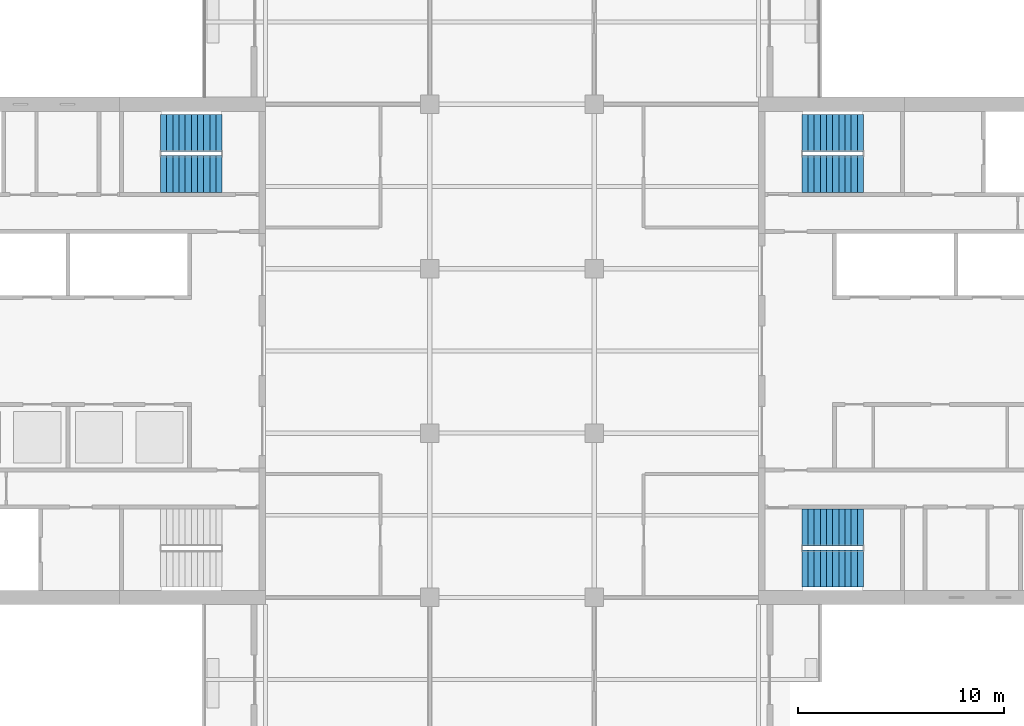
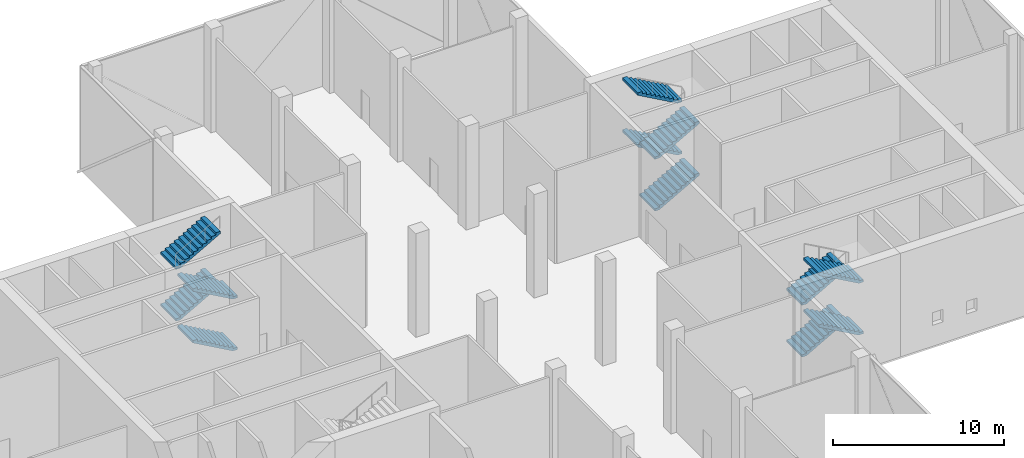
# One storey, part 14 of 20: 12 stair flights, 3 elements without a shape of their own.
"""IFC4 building model written with IfcOpenShell, lengths in metres."""

from ifc_helpers import new_model, si_unit, direction, frame, origin, place, context, subcontext, project, spatial, polyline, outline, extrude, material, type_object, element, aggregate, save


model = new_model("IFC4")

# Units and contexts
model_context = context("Model", 3, precision=1e-05, world=origin(), true_north=direction((0.0, 1.0)))
body_context = subcontext(model_context, "Body", "Model", "MODEL_VIEW")
ifc_project = project(units=[si_unit("LENGTHUNIT", "METRE"), si_unit("AREAUNIT", "SQUARE_METRE"), si_unit("VOLUMEUNIT", "CUBIC_METRE"), si_unit("PLANEANGLEUNIT", "RADIAN"), si_unit("MASSUNIT", "GRAM", prefix="KILO")], contexts=[model_context])

# Site, building, storey
site_placement = place(None, origin())
site = spatial("IfcSite", under=ifc_project, at=site_placement, CompositionType="ELEMENT")
building_placement = place(site_placement, origin())
building = spatial("IfcBuilding", under=site, at=building_placement, Name="Crosswind Convention Tower", CompositionType="ELEMENT")
storey_placement = place(building_placement, frame((0.0, 0.0, 171.5)))
storey = spatial("IfcBuildingStorey", under=building, at=storey_placement, Name="L36", CompositionType="ELEMENT", Elevation=171.5)

# Stair, stair flights
ifc_material = material(Name="Concrete C40/50", Category="concrete")
stair_type = type_object("IfcStairType", Name="Exit stair 1800 wide, 4 flights of 11 risers", PredefinedType="HALF_TURN_STAIR", material=ifc_material)
stair_1_placement = place(storey_placement, origin())
stair_1 = element("IfcStair", 1, at=stair_1_placement, inside=storey, type_object=stair_type, Name="Exit stair ST1 L36", ObjectType="ST6", PredefinedType="HALF_TURN_STAIR")
stair_flight_type = type_object("IfcStairFlightType", Name="Stair flight 1800 wide, 11 risers (SF3)", PredefinedType="STRAIGHT", material=ifc_material)
stair_flight_1_placement = place(storey_placement, frame((139.10009765625, 108.60009765625, 0.0), z_axis=(0.0, 0.0, 1.0), x_axis=(1.0, 0.0, 0.0)))
stair_flight_1 = element("IfcStairFlight", 2, at=stair_flight_1_placement, type_object=stair_flight_type, Name="ST1 flight 1", NumberOfRisers=11, NumberOfTreads=10, PredefinedType="STRAIGHT", RiserHeight=0.168181818, TreadLength=0.3, context=body_context, shape_type="SweptSolid", body=[
    extrude(outline(polyline([(0.0, 0.0), (0.0, 0.168212890625), (0.300048828125, 0.168212890625), (0.300048828125, 0.33642578125), (0.60009765625, 0.33642578125), (0.60009765625, 0.504638671875), (0.89990234375, 0.504638671875), (0.89990234375, 0.672607421875), (1.199951171875, 0.672607421875), (1.199951171875, 0.8408203125), (1.5, 0.8408203125), (1.5, 1.009033203125), (1.800048828125, 1.009033203125), (1.800048828125, 1.17724609375), (2.10009765625, 1.17724609375), (2.10009765625, 1.345458984375), (2.39990234375, 1.345458984375), (2.39990234375, 1.513671875), (2.699951171875, 1.513671875), (2.699951171875, 1.681884765625), (3.0, 1.681884765625), (3.0, 1.85009765625), (3.0, 1.510009765625), (0.306640625, 0.0), (0.0, 0.0)])), frame((0.0, 0.89990234375, 0.0), z_axis=(0.0, -1.0, 0.0), x_axis=(1.0, 0.0, 0.0)), (0.0, 0.0, 1.0), 1.800048828125),
])
stair_flight_2_placement = place(storey_placement, frame((142.10009765625, 110.60009765625, 1.85009765625), z_axis=(0.0, 0.0, 1.0), x_axis=(-1.0, 0.0, 0.0)))
stair_flight_2 = element("IfcStairFlight", 3, at=stair_flight_2_placement, type_object=stair_flight_type, Name="ST1 flight 2", NumberOfRisers=11, NumberOfTreads=10, PredefinedType="STRAIGHT", RiserHeight=0.168181818, TreadLength=0.3, context=body_context, shape_type="SweptSolid", body=[
    extrude(outline(polyline([(0.0, 0.0), (0.0, 0.168212890625), (0.300048828125, 0.168212890625), (0.300048828125, 0.33642578125), (0.60009765625, 0.33642578125), (0.60009765625, 0.504638671875), (0.89990234375, 0.504638671875), (0.89990234375, 0.672607421875), (1.199951171875, 0.672607421875), (1.199951171875, 0.8408203125), (1.5, 0.8408203125), (1.5, 1.009033203125), (1.800048828125, 1.009033203125), (1.800048828125, 1.17724609375), (2.10009765625, 1.17724609375), (2.10009765625, 1.345458984375), (2.39990234375, 1.345458984375), (2.39990234375, 1.513671875), (2.699951171875, 1.513671875), (2.699951171875, 1.681884765625), (3.0, 1.681884765625), (3.0, 1.85009765625), (3.0, 1.510009765625), (0.306640625, 0.0), (0.0, 0.0)])), frame((0.0, 0.89990234375, 0.0), z_axis=(0.0, -1.0, 0.0), x_axis=(1.0, 0.0, 0.0)), (0.0, 0.0, 1.0), 1.800048828125),
])
stair_flight_3_placement = place(storey_placement, frame((139.10009765625, 108.60009765625, 3.699951171875), z_axis=(0.0, 0.0, 1.0), x_axis=(1.0, 0.0, 0.0)))
stair_flight_3 = element("IfcStairFlight", 4, at=stair_flight_3_placement, type_object=stair_flight_type, Name="ST1 flight 3", NumberOfRisers=11, NumberOfTreads=10, PredefinedType="STRAIGHT", RiserHeight=0.168181818, TreadLength=0.3, context=body_context, shape_type="SweptSolid", body=[
    extrude(outline(polyline([(0.0, 0.0), (0.0, 0.168212890625), (0.300048828125, 0.168212890625), (0.300048828125, 0.33642578125), (0.60009765625, 0.33642578125), (0.60009765625, 0.504638671875), (0.89990234375, 0.504638671875), (0.89990234375, 0.672607421875), (1.199951171875, 0.672607421875), (1.199951171875, 0.8408203125), (1.5, 0.8408203125), (1.5, 1.009033203125), (1.800048828125, 1.009033203125), (1.800048828125, 1.17724609375), (2.10009765625, 1.17724609375), (2.10009765625, 1.345458984375), (2.39990234375, 1.345458984375), (2.39990234375, 1.513671875), (2.699951171875, 1.513671875), (2.699951171875, 1.681884765625), (3.0, 1.681884765625), (3.0, 1.85009765625), (3.0, 1.510009765625), (0.306640625, 0.0), (0.0, 0.0)])), frame((0.0, 0.89990234375, 0.0), z_axis=(0.0, -1.0, 0.0), x_axis=(1.0, 0.0, 0.0)), (0.0, 0.0, 1.0), 1.800048828125),
])
stair_flight_4_placement = place(storey_placement, frame((142.10009765625, 110.60009765625, 5.550048828125), z_axis=(0.0, 0.0, 1.0), x_axis=(-1.0, 0.0, 0.0)))
stair_flight_4 = element("IfcStairFlight", 5, at=stair_flight_4_placement, type_object=stair_flight_type, Name="ST1 flight 4", NumberOfRisers=11, NumberOfTreads=10, PredefinedType="STRAIGHT", RiserHeight=0.168181818, TreadLength=0.3, context=body_context, shape_type="SweptSolid", body=[
    extrude(outline(polyline([(0.0, 0.0), (0.0, 0.168212890625), (0.300048828125, 0.168212890625), (0.300048828125, 0.33642578125), (0.60009765625, 0.33642578125), (0.60009765625, 0.504638671875), (0.89990234375, 0.504638671875), (0.89990234375, 0.672607421875), (1.199951171875, 0.672607421875), (1.199951171875, 0.8408203125), (1.5, 0.8408203125), (1.5, 1.009033203125), (1.800048828125, 1.009033203125), (1.800048828125, 1.17724609375), (2.10009765625, 1.17724609375), (2.10009765625, 1.345458984375), (2.39990234375, 1.345458984375), (2.39990234375, 1.513671875), (2.699951171875, 1.513671875), (2.699951171875, 1.681884765625), (3.0, 1.681884765625), (3.0, 1.85009765625), (3.0, 1.510009765625), (0.306640625, 0.0), (0.0, 0.0)])), frame((0.0, 0.89990234375, 0.0), z_axis=(0.0, -1.0, 0.0), x_axis=(1.0, 0.0, 0.0)), (0.0, 0.0, 1.0), 1.800048828125),
])
aggregate(stair_1, [stair_flight_1, stair_flight_2, stair_flight_3, stair_flight_4])

stair_2_placement = place(storey_placement, origin())
stair_2 = element("IfcStair", 6, at=stair_2_placement, inside=storey, type_object=stair_type, Name="Exit stair ST2 L36", ObjectType="ST6", PredefinedType="HALF_TURN_STAIR")
stair_flight_5_placement = place(storey_placement, frame((139.10009765625, 91.39990234375, 0.0), z_axis=(0.0, 0.0, 1.0), x_axis=(1.0, 0.0, 0.0)))
stair_flight_5 = element("IfcStairFlight", 7, at=stair_flight_5_placement, type_object=stair_flight_type, Name="ST2 flight 1", NumberOfRisers=11, NumberOfTreads=10, PredefinedType="STRAIGHT", RiserHeight=0.168181818, TreadLength=0.3, context=body_context, shape_type="SweptSolid", body=[
    extrude(outline(polyline([(0.0, 0.0), (0.0, 0.168212890625), (0.300048828125, 0.168212890625), (0.300048828125, 0.33642578125), (0.60009765625, 0.33642578125), (0.60009765625, 0.504638671875), (0.89990234375, 0.504638671875), (0.89990234375, 0.672607421875), (1.199951171875, 0.672607421875), (1.199951171875, 0.8408203125), (1.5, 0.8408203125), (1.5, 1.009033203125), (1.800048828125, 1.009033203125), (1.800048828125, 1.17724609375), (2.10009765625, 1.17724609375), (2.10009765625, 1.345458984375), (2.39990234375, 1.345458984375), (2.39990234375, 1.513671875), (2.699951171875, 1.513671875), (2.699951171875, 1.681884765625), (3.0, 1.681884765625), (3.0, 1.85009765625), (3.0, 1.510009765625), (0.306640625, 0.0), (0.0, 0.0)])), frame((0.0, 0.89990234375, 0.0), z_axis=(0.0, -1.0, 0.0), x_axis=(1.0, 0.0, 0.0)), (0.0, 0.0, 1.0), 1.800048828125),
])
stair_flight_6_placement = place(storey_placement, frame((142.10009765625, 89.39990234375, 1.85009765625), z_axis=(0.0, 0.0, 1.0), x_axis=(-1.0, 0.0, 0.0)))
stair_flight_6 = element("IfcStairFlight", 8, at=stair_flight_6_placement, type_object=stair_flight_type, Name="ST2 flight 2", NumberOfRisers=11, NumberOfTreads=10, PredefinedType="STRAIGHT", RiserHeight=0.168181818, TreadLength=0.3, context=body_context, shape_type="SweptSolid", body=[
    extrude(outline(polyline([(0.0, 0.0), (0.0, 0.168212890625), (0.300048828125, 0.168212890625), (0.300048828125, 0.33642578125), (0.60009765625, 0.33642578125), (0.60009765625, 0.504638671875), (0.89990234375, 0.504638671875), (0.89990234375, 0.672607421875), (1.199951171875, 0.672607421875), (1.199951171875, 0.8408203125), (1.5, 0.8408203125), (1.5, 1.009033203125), (1.800048828125, 1.009033203125), (1.800048828125, 1.17724609375), (2.10009765625, 1.17724609375), (2.10009765625, 1.345458984375), (2.39990234375, 1.345458984375), (2.39990234375, 1.513671875), (2.699951171875, 1.513671875), (2.699951171875, 1.681884765625), (3.0, 1.681884765625), (3.0, 1.85009765625), (3.0, 1.510009765625), (0.306640625, 0.0), (0.0, 0.0)])), frame((0.0, 0.89990234375, 0.0), z_axis=(0.0, -1.0, 0.0), x_axis=(1.0, 0.0, 0.0)), (0.0, 0.0, 1.0), 1.800048828125),
])
stair_flight_7_placement = place(storey_placement, frame((139.10009765625, 91.39990234375, 3.699951171875), z_axis=(0.0, 0.0, 1.0), x_axis=(1.0, 0.0, 0.0)))
stair_flight_7 = element("IfcStairFlight", 9, at=stair_flight_7_placement, type_object=stair_flight_type, Name="ST2 flight 3", NumberOfRisers=11, NumberOfTreads=10, PredefinedType="STRAIGHT", RiserHeight=0.168181818, TreadLength=0.3, context=body_context, shape_type="SweptSolid", body=[
    extrude(outline(polyline([(0.0, 0.0), (0.0, 0.168212890625), (0.300048828125, 0.168212890625), (0.300048828125, 0.33642578125), (0.60009765625, 0.33642578125), (0.60009765625, 0.504638671875), (0.89990234375, 0.504638671875), (0.89990234375, 0.672607421875), (1.199951171875, 0.672607421875), (1.199951171875, 0.8408203125), (1.5, 0.8408203125), (1.5, 1.009033203125), (1.800048828125, 1.009033203125), (1.800048828125, 1.17724609375), (2.10009765625, 1.17724609375), (2.10009765625, 1.345458984375), (2.39990234375, 1.345458984375), (2.39990234375, 1.513671875), (2.699951171875, 1.513671875), (2.699951171875, 1.681884765625), (3.0, 1.681884765625), (3.0, 1.85009765625), (3.0, 1.510009765625), (0.306640625, 0.0), (0.0, 0.0)])), frame((0.0, 0.89990234375, 0.0), z_axis=(0.0, -1.0, 0.0), x_axis=(1.0, 0.0, 0.0)), (0.0, 0.0, 1.0), 1.800048828125),
])
stair_flight_8_placement = place(storey_placement, frame((142.10009765625, 89.39990234375, 5.550048828125), z_axis=(0.0, 0.0, 1.0), x_axis=(-1.0, 0.0, 0.0)))
stair_flight_8 = element("IfcStairFlight", 10, at=stair_flight_8_placement, type_object=stair_flight_type, Name="ST2 flight 4", NumberOfRisers=11, NumberOfTreads=10, PredefinedType="STRAIGHT", RiserHeight=0.168181818, TreadLength=0.3, context=body_context, shape_type="SweptSolid", body=[
    extrude(outline(polyline([(0.0, 0.0), (0.0, 0.168212890625), (0.300048828125, 0.168212890625), (0.300048828125, 0.33642578125), (0.60009765625, 0.33642578125), (0.60009765625, 0.504638671875), (0.89990234375, 0.504638671875), (0.89990234375, 0.672607421875), (1.199951171875, 0.672607421875), (1.199951171875, 0.8408203125), (1.5, 0.8408203125), (1.5, 1.009033203125), (1.800048828125, 1.009033203125), (1.800048828125, 1.17724609375), (2.10009765625, 1.17724609375), (2.10009765625, 1.345458984375), (2.39990234375, 1.345458984375), (2.39990234375, 1.513671875), (2.699951171875, 1.513671875), (2.699951171875, 1.681884765625), (3.0, 1.681884765625), (3.0, 1.85009765625), (3.0, 1.510009765625), (0.306640625, 0.0), (0.0, 0.0)])), frame((0.0, 0.89990234375, 0.0), z_axis=(0.0, -1.0, 0.0), x_axis=(1.0, 0.0, 0.0)), (0.0, 0.0, 1.0), 1.800048828125),
])
aggregate(stair_2, [stair_flight_5, stair_flight_6, stair_flight_7, stair_flight_8])

stair_3_placement = place(storey_placement, origin())
stair_3 = element("IfcStair", 11, at=stair_3_placement, inside=storey, type_object=stair_type, Name="Exit stair ST4 L36", ObjectType="ST6", PredefinedType="HALF_TURN_STAIR")
stair_flight_9_placement = place(storey_placement, frame((110.89990234375, 108.60009765625, 0.0), z_axis=(0.0, 0.0, 1.0), x_axis=(-1.0, 0.0, 0.0)))
stair_flight_9 = element("IfcStairFlight", 12, at=stair_flight_9_placement, type_object=stair_flight_type, Name="ST4 flight 1", NumberOfRisers=11, NumberOfTreads=10, PredefinedType="STRAIGHT", RiserHeight=0.168181818, TreadLength=0.3, context=body_context, shape_type="SweptSolid", body=[
    extrude(outline(polyline([(0.0, 0.0), (0.0, 0.168212890625), (0.300048828125, 0.168212890625), (0.300048828125, 0.33642578125), (0.60009765625, 0.33642578125), (0.60009765625, 0.504638671875), (0.89990234375, 0.504638671875), (0.89990234375, 0.672607421875), (1.199951171875, 0.672607421875), (1.199951171875, 0.8408203125), (1.5, 0.8408203125), (1.5, 1.009033203125), (1.800048828125, 1.009033203125), (1.800048828125, 1.17724609375), (2.10009765625, 1.17724609375), (2.10009765625, 1.345458984375), (2.39990234375, 1.345458984375), (2.39990234375, 1.513671875), (2.699951171875, 1.513671875), (2.699951171875, 1.681884765625), (3.0, 1.681884765625), (3.0, 1.85009765625), (3.0, 1.510009765625), (0.306640625, 0.0), (0.0, 0.0)])), frame((0.0, 0.89990234375, 0.0), z_axis=(0.0, -1.0, 0.0), x_axis=(1.0, 0.0, 0.0)), (0.0, 0.0, 1.0), 1.800048828125),
])
stair_flight_10_placement = place(storey_placement, frame((107.89990234375, 110.60009765625, 1.85009765625), z_axis=(0.0, 0.0, 1.0), x_axis=(1.0, 0.0, 0.0)))
stair_flight_10 = element("IfcStairFlight", 13, at=stair_flight_10_placement, type_object=stair_flight_type, Name="ST4 flight 2", NumberOfRisers=11, NumberOfTreads=10, PredefinedType="STRAIGHT", RiserHeight=0.168181818, TreadLength=0.3, context=body_context, shape_type="SweptSolid", body=[
    extrude(outline(polyline([(0.0, 0.0), (0.0, 0.168212890625), (0.300048828125, 0.168212890625), (0.300048828125, 0.33642578125), (0.60009765625, 0.33642578125), (0.60009765625, 0.504638671875), (0.89990234375, 0.504638671875), (0.89990234375, 0.672607421875), (1.199951171875, 0.672607421875), (1.199951171875, 0.8408203125), (1.5, 0.8408203125), (1.5, 1.009033203125), (1.800048828125, 1.009033203125), (1.800048828125, 1.17724609375), (2.10009765625, 1.17724609375), (2.10009765625, 1.345458984375), (2.39990234375, 1.345458984375), (2.39990234375, 1.513671875), (2.699951171875, 1.513671875), (2.699951171875, 1.681884765625), (3.0, 1.681884765625), (3.0, 1.85009765625), (3.0, 1.510009765625), (0.306640625, 0.0), (0.0, 0.0)])), frame((0.0, 0.89990234375, 0.0), z_axis=(0.0, -1.0, 0.0), x_axis=(1.0, 0.0, 0.0)), (0.0, 0.0, 1.0), 1.800048828125),
])
stair_flight_11_placement = place(storey_placement, frame((110.89990234375, 108.60009765625, 3.699951171875), z_axis=(0.0, 0.0, 1.0), x_axis=(-1.0, 0.0, 0.0)))
stair_flight_11 = element("IfcStairFlight", 14, at=stair_flight_11_placement, type_object=stair_flight_type, Name="ST4 flight 3", NumberOfRisers=11, NumberOfTreads=10, PredefinedType="STRAIGHT", RiserHeight=0.168181818, TreadLength=0.3, context=body_context, shape_type="SweptSolid", body=[
    extrude(outline(polyline([(0.0, 0.0), (0.0, 0.168212890625), (0.300048828125, 0.168212890625), (0.300048828125, 0.33642578125), (0.60009765625, 0.33642578125), (0.60009765625, 0.504638671875), (0.89990234375, 0.504638671875), (0.89990234375, 0.672607421875), (1.199951171875, 0.672607421875), (1.199951171875, 0.8408203125), (1.5, 0.8408203125), (1.5, 1.009033203125), (1.800048828125, 1.009033203125), (1.800048828125, 1.17724609375), (2.10009765625, 1.17724609375), (2.10009765625, 1.345458984375), (2.39990234375, 1.345458984375), (2.39990234375, 1.513671875), (2.699951171875, 1.513671875), (2.699951171875, 1.681884765625), (3.0, 1.681884765625), (3.0, 1.85009765625), (3.0, 1.510009765625), (0.306640625, 0.0), (0.0, 0.0)])), frame((0.0, 0.89990234375, 0.0), z_axis=(0.0, -1.0, 0.0), x_axis=(1.0, 0.0, 0.0)), (0.0, 0.0, 1.0), 1.800048828125),
])
stair_flight_12_placement = place(storey_placement, frame((107.89990234375, 110.60009765625, 5.550048828125), z_axis=(0.0, 0.0, 1.0), x_axis=(1.0, 0.0, 0.0)))
stair_flight_12 = element("IfcStairFlight", 15, at=stair_flight_12_placement, type_object=stair_flight_type, Name="ST4 flight 4", NumberOfRisers=11, NumberOfTreads=10, PredefinedType="STRAIGHT", RiserHeight=0.168181818, TreadLength=0.3, context=body_context, shape_type="SweptSolid", body=[
    extrude(outline(polyline([(0.0, 0.0), (0.0, 0.168212890625), (0.300048828125, 0.168212890625), (0.300048828125, 0.33642578125), (0.60009765625, 0.33642578125), (0.60009765625, 0.504638671875), (0.89990234375, 0.504638671875), (0.89990234375, 0.672607421875), (1.199951171875, 0.672607421875), (1.199951171875, 0.8408203125), (1.5, 0.8408203125), (1.5, 1.009033203125), (1.800048828125, 1.009033203125), (1.800048828125, 1.17724609375), (2.10009765625, 1.17724609375), (2.10009765625, 1.345458984375), (2.39990234375, 1.345458984375), (2.39990234375, 1.513671875), (2.699951171875, 1.513671875), (2.699951171875, 1.681884765625), (3.0, 1.681884765625), (3.0, 1.85009765625), (3.0, 1.510009765625), (0.306640625, 0.0), (0.0, 0.0)])), frame((0.0, 0.89990234375, 0.0), z_axis=(0.0, -1.0, 0.0), x_axis=(1.0, 0.0, 0.0)), (0.0, 0.0, 1.0), 1.800048828125),
])
aggregate(stair_3, [stair_flight_9, stair_flight_10, stair_flight_11, stair_flight_12])

save(model, "model.ifc")
